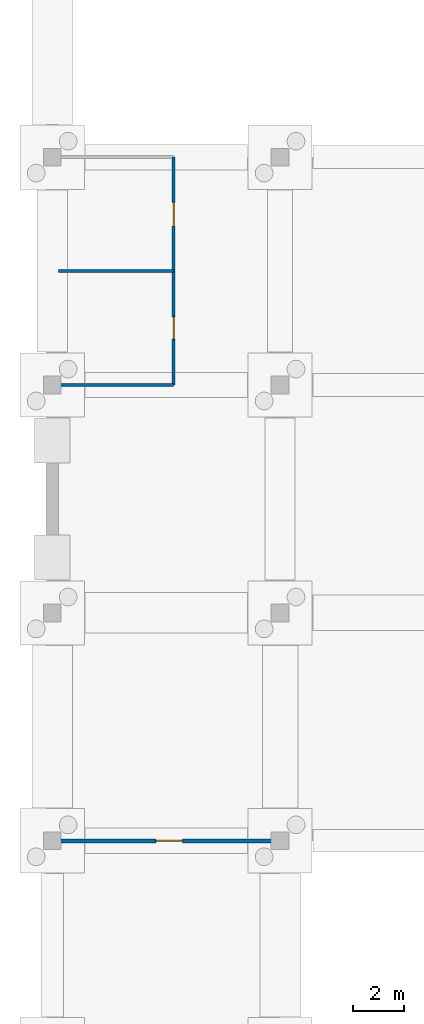
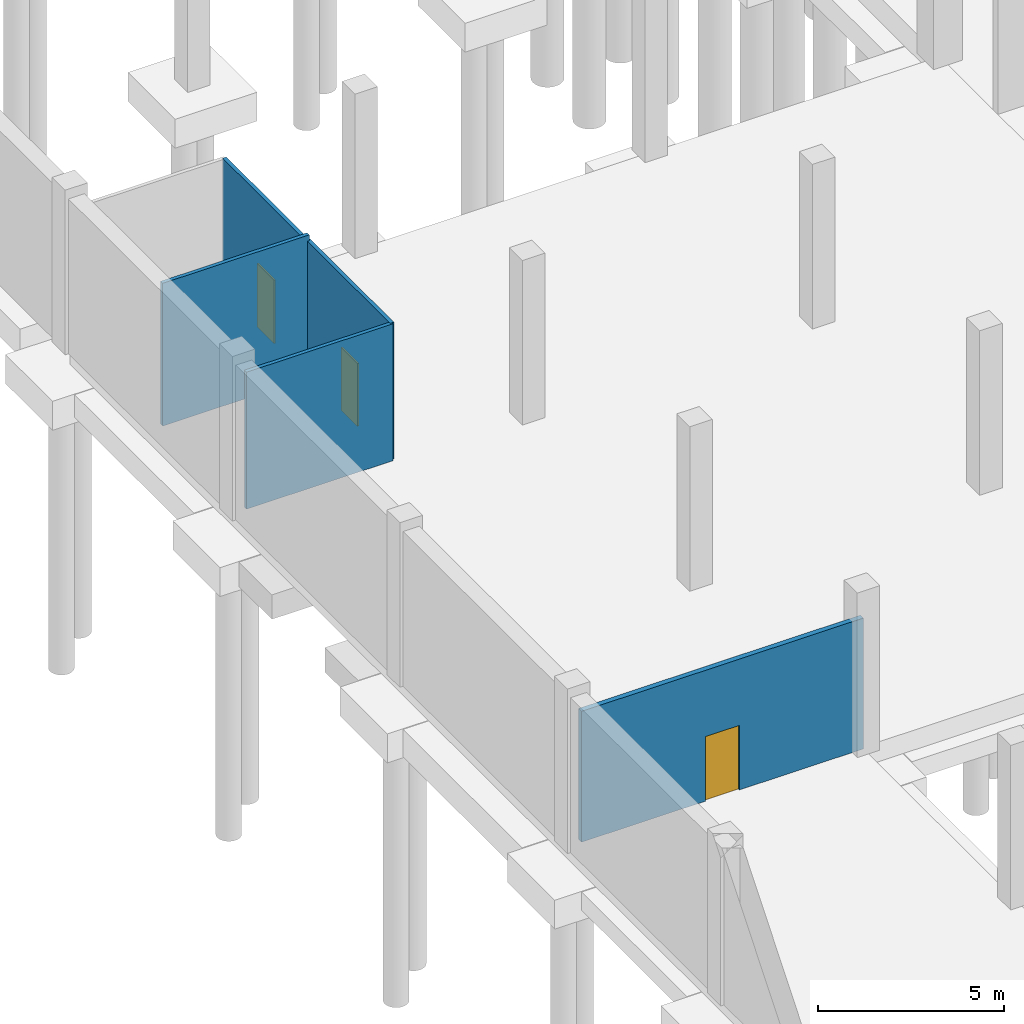
# One storey, part 23 of 42: 5 walls, 3 doors, 3 openings.
"""IFC4 building model written with IfcOpenShell, lengths in metres."""

import ifcopenshell
import ifcopenshell.guid

model = None  # the IFC model being written
_history = None  # IfcOwnerHistory: only IFC2X3 demands one
_inside = {}  # id of a spatial element -> (the spatial element, [elements in it])
_under = {}  # id of a project, library or spatial element -> (it, [spatial elements below it])
_declared = {}  # id of a project -> (the project, [libraries it declares])
_typed = {}  # id of a type object -> (the type object, [elements of that type])
_made_of = {}  # id of a material, layer set ... -> (it, [elements and type objects made of it])


def new_model(schema):
    """Start an empty IFC model of exactly this schema.

    Asked for "IFC4X3", IfcOpenShell would pick the latest addendum, in which some entities
    have other attributes; the version numbers below select the first issue.
    IFC2X3 requires an IfcOwnerHistory on every rooted entity: one is made here for all.
    """
    global model, _history
    if schema == "IFC4X3":
        model = ifcopenshell.file(schema_version=(4, 3, 0, 0))
    else:
        model = ifcopenshell.file(schema=schema)
    _inside.clear()
    _under.clear()
    _declared.clear()
    _typed.clear()
    _made_of.clear()
    _history = None
    if model.schema == "IFC2X3":
        org = make("IfcOrganization", Name="unknown")
        user = make(
            "IfcPersonAndOrganization",
            ThePerson=make("IfcPerson", FamilyName="unknown"),
            TheOrganization=org,
        )
        app = make(
            "IfcApplication",
            ApplicationDeveloper=org,
            Version="unknown",
            ApplicationFullName="unknown",
            ApplicationIdentifier="unknown",
        )
        _history = make(
            "IfcOwnerHistory",
            OwningUser=user,
            OwningApplication=app,
            ChangeAction="ADDED",
            CreationDate=0,
        )
    return model


def make(cls, **values):
    """One entity of the class cls with the attributes given. An attribute that is None is left unset."""
    return model.create_entity(
        cls, **{name: value for name, value in values.items() if value is not None}
    )


def rooted(cls, **values):
    """An entity with a GlobalId (a new one), such as an element, a storey or a relation."""
    return make(cls, GlobalId=ifcopenshell.guid.new(), OwnerHistory=_history, **values)


def si_unit(unit_type, name, prefix=None):
    """IfcSIUnit, for example si_unit("LENGTHUNIT", "METRE", prefix="MILLI")."""
    return make("IfcSIUnit", UnitType=unit_type, Prefix=prefix, Name=name)


def assignment(units):
    """IfcUnitAssignment: the units of a project."""
    return None if units is None else make("IfcUnitAssignment", Units=units)


def point(xyz):
    """IfcCartesianPoint."""
    return None if xyz is None else make("IfcCartesianPoint", Coordinates=xyz)


def direction(xyz):
    """IfcDirection."""
    return None if xyz is None else make("IfcDirection", DirectionRatios=xyz)


def frame(location, z_axis=None, x_axis=None):
    """IfcAxis2Placement3D, a coordinate frame: its origin and axes. An axis left out is left unset."""
    return make(
        "IfcAxis2Placement3D",
        Location=point(location),
        Axis=direction(z_axis),
        RefDirection=direction(x_axis),
    )


def frame_2d(location, x_axis=None):
    """IfcAxis2Placement2D, a coordinate frame in the plane: its origin and x axis."""
    return make(
        "IfcAxis2Placement2D", Location=point(location), RefDirection=direction(x_axis)
    )


def origin():
    """The frame at (0, 0, 0) with its axes left unset."""
    return frame((0.0, 0.0, 0.0))


def place(relative_to, where):
    """IfcLocalPlacement: puts the frame where relative to a parent placement (None: the world)."""
    return make(
        "IfcLocalPlacement", PlacementRelTo=relative_to, RelativePlacement=where
    )


def context(
    kind, dimensions, precision=None, world=None, true_north=None, identifier=None
):
    """IfcGeometricRepresentationContext, for example the 3D "Model" context."""
    return make(
        "IfcGeometricRepresentationContext",
        ContextIdentifier=identifier,
        ContextType=kind,
        CoordinateSpaceDimension=dimensions,
        Precision=precision,
        WorldCoordinateSystem=world,
        TrueNorth=true_north,
    )


def subcontext(parent, identifier, kind, view, scale=None):
    """IfcGeometricRepresentationSubContext, for example "Body" below "Model"."""
    return make(
        "IfcGeometricRepresentationSubContext",
        ContextIdentifier=identifier,
        ContextType=kind,
        ParentContext=parent,
        TargetScale=scale,
        TargetView=view,
    )


def project(units=None, contexts=None):
    """IfcProject with its units and contexts."""
    return rooted(
        "IfcProject",
        Name="project",
        RepresentationContexts=contexts,
        UnitsInContext=assignment(units),
    )


def spatial(cls, under=None, at=None, **own):
    """A site, building, storey or space (cls), placed at a placement, below another one or the project."""
    s = rooted(cls, ObjectPlacement=at, **own)
    if under is not None:
        _under.setdefault(under.id(), (under, []))[1].append(s)
    return s


def profile(cls, at=None, kind="AREA", **sizes):
    """A parametric profile (cls). Its sizes go by their IFC names, for example OverallWidth=200.0."""
    return make(cls, ProfileType=kind, Position=at, **sizes)


def rectangle(**sizes):
    """IfcRectangleProfileDef."""
    return profile("IfcRectangleProfileDef", **sizes)


def extrude(swept, where, along, depth):
    """IfcExtrudedAreaSolid: the profile swept, set in the frame where, extruded along a direction by depth."""
    return make(
        "IfcExtrudedAreaSolid",
        SweptArea=swept,
        Position=where,
        ExtrudedDirection=direction(along),
        Depth=depth,
    )


def shape(context_of_items, identifier, shape_type, items):
    """IfcShapeRepresentation: the items that make up one representation, for example the "Body"."""
    return make(
        "IfcShapeRepresentation",
        ContextOfItems=context_of_items,
        RepresentationIdentifier=identifier,
        RepresentationType=shape_type,
        Items=items,
    )


def material(Name=None, Category=None):
    """IfcMaterial."""
    return make("IfcMaterial", Name=Name, Category=Category)


def layer(
    of_material, thickness, ventilated=None, Name=None, Category=None, Priority=None
):
    """IfcMaterialLayer: one layer of a wall or slab, of a material (None: an air gap)."""
    return make(
        "IfcMaterialLayer",
        Material=of_material,
        LayerThickness=thickness,
        IsVentilated=ventilated,
        Name=Name,
        Category=Category,
        Priority=Priority,
    )


def layer_set(layers, Name=None):
    """IfcMaterialLayerSet."""
    return make("IfcMaterialLayerSet", MaterialLayers=layers, LayerSetName=Name)


def made_of(thing, what):
    """Note that an element or type object is made of a material, layer set ...; save() writes the relation."""
    if what is not None:
        _made_of.setdefault(what.id(), (what, []))[1].append(thing)
    return thing


def type_object(cls, material=None, **own):
    """A type object (cls), such as IfcWallType, which elements share."""
    return made_of(rooted(cls, **own), material)


def element(
    cls,
    number,
    at=None,
    inside=None,
    cuts=None,
    type_object=None,
    material=None,
    context=None,
    identifier="Body",
    shape_type=None,
    held_by="IfcProductDefinitionShape",
    body=None,
    shapes=None,
    **own,
):
    """One element of the class cls, such as IfcWall. Its Tag is "e" and its number.

    at: its placement. inside: the storey or other place that contains it. cuts: it is an
    opening in that element (IfcRelVoidsElement). A single representation is given by context,
    identifier, shape_type and body (its items); several are given by shapes. held_by: the class
    of the entity that holds the representations. save() writes the other relations.
    """
    e = rooted(cls, Tag="e%d" % number, ObjectPlacement=at, **own)
    if body is not None:
        shapes = [shape(context, identifier, shape_type, body)]
    if shapes is not None:
        e.Representation = make(held_by, Representations=shapes)
    if inside is not None:
        _inside.setdefault(inside.id(), (inside, []))[1].append(e)
    if cuts is not None:
        rooted(
            "IfcRelVoidsElement", RelatingBuildingElement=cuts, RelatedOpeningElement=e
        )
    if type_object is not None:
        _typed.setdefault(type_object.id(), (type_object, []))[1].append(e)
    return made_of(e, material)


def fill(opening, filler):
    """IfcRelFillsElement: the door or window that sits in an opening."""
    return rooted(
        "IfcRelFillsElement",
        RelatingOpeningElement=opening,
        RelatedBuildingElement=filler,
    )


def aggregate(whole, parts):
    """IfcRelAggregates: a whole, such as a stair, and the parts it consists of."""
    return rooted("IfcRelAggregates", RelatingObject=whole, RelatedObjects=parts)


def save(model, path):
    """Write the relations noted so far, then the file.

    IfcRelAggregates (storeys below a building ...), IfcRelContainedInSpatialStructure (elements
    in a storey), IfcRelDefinesByType, IfcRelAssociatesMaterial and IfcRelDeclares: one each for
    every whole, place, type object, material and project.
    """
    for whole, parts in _under.values():
        aggregate(whole, parts)
    for where, things in _inside.values():
        rooted(
            "IfcRelContainedInSpatialStructure",
            RelatedElements=things,
            RelatingStructure=where,
        )
    for kind, things in _typed.values():
        rooted("IfcRelDefinesByType", RelatedObjects=things, RelatingType=kind)
    for what, things in _made_of.values():
        rooted("IfcRelAssociatesMaterial", RelatedObjects=things, RelatingMaterial=what)
    for by, libraries in _declared.values():
        rooted("IfcRelDeclares", RelatingContext=by, RelatedDefinitions=libraries)
    model.write(path)


model = new_model("IFC4")

# Units and contexts
model_context = context("Model", 3, precision=1e-05, world=origin(), true_north=direction((0.0, 1.0)))
body_context = subcontext(model_context, "Body", "Model", "MODEL_VIEW")
ifc_project = project(units=[si_unit("LENGTHUNIT", "METRE"), si_unit("AREAUNIT", "SQUARE_METRE"), si_unit("VOLUMEUNIT", "CUBIC_METRE"), si_unit("PLANEANGLEUNIT", "RADIAN"), si_unit("MASSUNIT", "GRAM", prefix="KILO")], contexts=[model_context])

# Site, building, storey
site_placement = place(None, origin())
site = spatial("IfcSite", under=ifc_project, at=site_placement, CompositionType="ELEMENT")
building_placement = place(site_placement, origin())
building = spatial("IfcBuilding", under=site, at=building_placement, Name="Sundgate Opera House", CompositionType="ELEMENT")
storey_placement = place(building_placement, frame((0.0, 0.0, -5.39990234375)))
storey = spatial("IfcBuildingStorey", under=building, at=storey_placement, Name="B01", CompositionType="ELEMENT", Elevation=-5.39990234375)

# Wall, opening, door
ifc_material_1 = material(Name="Dressing suite acoustic partition", Category="gypsum")
ifc_layer_1 = layer(ifc_material_1, 0.159912109375)
ifc_layer_set_1 = layer_set([ifc_layer_1], Name="Dressing suite acoustic partition")
wall_type_1 = type_object("IfcWallType", Name="WL-INT-PART-160", PredefinedType="PARTITIONING", material=ifc_layer_set_1)
wall_1_placement = place(storey_placement, frame((0.25, 33.0, 0.0), z_axis=(0.0, 0.0, 1.0), x_axis=(1.0, 0.0, 0.0)))
wall_1 = element("IfcWall", 1, at=wall_1_placement, inside=storey, type_object=wall_type_1, Name="B01 Interior Partition W0981", PredefinedType="PARTITIONING", context=body_context, shape_type="SweptSolid", body=[
    extrude(rectangle(XDim=8.75, YDim=0.159912109375, at=frame_2d((4.375, 0.0))), origin(), (0.0, 0.0, 1.0), 4.294921875),
])
opening_1_placement = place(wall_1_placement, frame((3.85009765625, 0.0, 0.0)))
opening_1 = element("IfcOpeningElement", 2, at=opening_1_placement, cuts=wall_1, Name="Opening DI08", PredefinedType="OPENING", context=body_context, shape_type="SweptSolid", body=[
    extrude(rectangle(XDim=1.050048828125, YDim=2.1201171875, at=frame_2d((0.52490234375, 1.06005859375))), frame((0.0, 0.08984375, 0.0), z_axis=(0.0, -1.0, 0.0), x_axis=(1.0, 0.0, 0.0)), (0.0, 0.0, 1.0), 0.179931640625),
])
ifc_material_2 = material(Name="Acoustic hardwood timber and steel core", Category="steel")
door_type_1 = type_object("IfcDoorType", Name="DR-ROOM-1050x2120", OperationType="NOTDEFINED", PredefinedType="DOOR", material=ifc_material_2)
door_1_placement = place(opening_1_placement, origin())
door_1 = element("IfcDoor", 3, at=door_1_placement, inside=storey, type_object=door_type_1, Name="B01 Interior Door D0169", OperationType="SINGLE_SWING_RIGHT", OverallHeight=2.1201171875, OverallWidth=1.050048828125, PredefinedType="DOOR", context=body_context, shape_type="SweptSolid", body=[
    extrude(rectangle(XDim=1.050048828125, YDim=2.1201171875, at=frame_2d((0.52490234375, 1.06005859375))), frame((0.0, 0.02490234375, 0.0), z_axis=(0.0, -1.0, 0.0), x_axis=(1.0, 0.0, 0.0)), (0.0, 0.0, 1.0), 0.050048828125),
])
fill(opening_1, door_1)

# Walls
ifc_material_3 = material(Name="Moisture-resistant sanitary partition", Category="gypsum")
ifc_layer_2 = layer(ifc_material_3, 0.114990234375)
ifc_layer_set_2 = layer_set([ifc_layer_2], Name="Moisture-resistant sanitary partition")
wall_type_2 = type_object("IfcWallType", Name="WL-INT-WET-115", PredefinedType="PARTITIONING", material=ifc_layer_set_2)
wall_2_placement = place(storey_placement, frame((0.25, 51.0, 0.0), z_axis=(0.0, 0.0, 1.0), x_axis=(1.0, 0.0, 0.0)))
element("IfcWall", 4, at=wall_2_placement, inside=storey, type_object=wall_type_2, Name="B01 Interior Partition W0982", PredefinedType="PARTITIONING", context=body_context, shape_type="SweptSolid", body=[
    extrude(rectangle(XDim=4.550048828125, YDim=0.114990234375, at=frame_2d((2.27490234375, 0.0))), origin(), (0.0, 0.0, 1.0), 4.494873046875),
])
wall_3_placement = place(storey_placement, frame((0.25, 55.5, 0.0), z_axis=(0.0, 0.0, 1.0), x_axis=(1.0, 0.0, 0.0)))
element("IfcWall", 5, at=wall_3_placement, inside=storey, type_object=wall_type_2, Name="B01 Interior Partition W0983", PredefinedType="PARTITIONING", context=body_context, shape_type="SweptSolid", body=[
    extrude(rectangle(XDim=4.550048828125, YDim=0.114990234375, at=frame_2d((2.27490234375, 0.0))), origin(), (0.0, 0.0, 1.0), 4.684814453125),
])

# Wall, opening, door
wall_4_placement = place(storey_placement, frame((4.800048828125, 51.0, 0.0), z_axis=(0.0, 0.0, 1.0), x_axis=(0.0, 1.0, 0.0)))
wall_4 = element("IfcWall", 6, at=wall_4_placement, inside=storey, type_object=wall_type_2, Name="B01 Interior Partition W0985", PredefinedType="PARTITIONING", context=body_context, shape_type="SweptSolid", body=[
    extrude(rectangle(XDim=4.5, YDim=0.114990234375, at=frame_2d((2.25, 0.0))), origin(), (0.0, 0.0, 1.0), 4.494873046875),
])
opening_2_placement = place(wall_4_placement, frame((1.81005859375, 0.0, 0.0)))
opening_2 = element("IfcOpeningElement", 7, at=opening_2_placement, cuts=wall_4, Name="Opening DI13", PredefinedType="OPENING", context=body_context, shape_type="SweptSolid", body=[
    extrude(rectangle(XDim=0.8798828125, YDim=2.06005859375, at=frame_2d((0.43994140625, 1.030029296875))), frame((0.0, 0.0673828125, 0.0), z_axis=(0.0, -1.0, 0.0), x_axis=(1.0, 0.0, 0.0)), (0.0, 0.0, 1.0), 0.135009765625),
])
ifc_material_4 = material(Name="Acoustic hardwood timber and steel core", Category="steel")
door_type_2 = type_object("IfcDoorType", Name="DR-WC-880x2060", OperationType="NOTDEFINED", PredefinedType="DOOR", material=ifc_material_4)
door_2_placement = place(opening_2_placement, origin())
door_2 = element("IfcDoor", 8, at=door_2_placement, inside=storey, type_object=door_type_2, Name="B01 Interior Door D0170", OperationType="SINGLE_SWING_LEFT", OverallHeight=2.06005859375, OverallWidth=0.8798828125, PredefinedType="DOOR", context=body_context, shape_type="SweptSolid", body=[
    extrude(rectangle(XDim=0.8798828125, YDim=2.06005859375, at=frame_2d((0.43994140625, 1.030029296875))), frame((0.0, 0.02490234375, 0.0), z_axis=(0.0, -1.0, 0.0), x_axis=(1.0, 0.0, 0.0)), (0.0, 0.0, 1.0), 0.050048828125),
])
fill(opening_2, door_2)

wall_5_placement = place(storey_placement, frame((4.800048828125, 55.5, 0.0), z_axis=(0.0, 0.0, 1.0), x_axis=(0.0, 1.0, 0.0)))
wall_5 = element("IfcWall", 9, at=wall_5_placement, inside=storey, type_object=wall_type_2, Name="B01 Interior Partition W0986", PredefinedType="PARTITIONING", context=body_context, shape_type="SweptSolid", body=[
    extrude(rectangle(XDim=4.5, YDim=0.114990234375, at=frame_2d((2.25, 0.0))), origin(), (0.0, 0.0, 1.0), 4.454833984375),
])
opening_3_placement = place(wall_5_placement, frame((1.7900390625, 0.0, 0.0)))
opening_3 = element("IfcOpeningElement", 10, at=opening_3_placement, cuts=wall_5, Name="Opening DI12", PredefinedType="OPENING", context=body_context, shape_type="SweptSolid", body=[
    extrude(rectangle(XDim=0.919921875, YDim=2.080078125, at=frame_2d((0.4599609375, 1.0400390625))), frame((0.0, 0.0673828125, 0.0), z_axis=(0.0, -1.0, 0.0), x_axis=(1.0, 0.0, 0.0)), (0.0, 0.0, 1.0), 0.135009765625),
])
ifc_material_5 = material(Name="Acoustic hardwood timber and steel core", Category="steel")
door_type_3 = type_object("IfcDoorType", Name="DR-WC-920x2080", OperationType="NOTDEFINED", PredefinedType="DOOR", material=ifc_material_5)
door_3_placement = place(opening_3_placement, origin())
door_3 = element("IfcDoor", 11, at=door_3_placement, inside=storey, type_object=door_type_3, Name="B01 Interior Door D0171", OperationType="SINGLE_SWING_RIGHT", OverallHeight=2.080078125, OverallWidth=0.919921875, PredefinedType="DOOR", context=body_context, shape_type="SweptSolid", body=[
    extrude(rectangle(XDim=0.919921875, YDim=2.080078125, at=frame_2d((0.4599609375, 1.0400390625))), frame((0.0, 0.02490234375, 0.0), z_axis=(0.0, -1.0, 0.0), x_axis=(1.0, 0.0, 0.0)), (0.0, 0.0, 1.0), 0.050048828125),
])
fill(opening_3, door_3)

save(model, "model.ifc")
